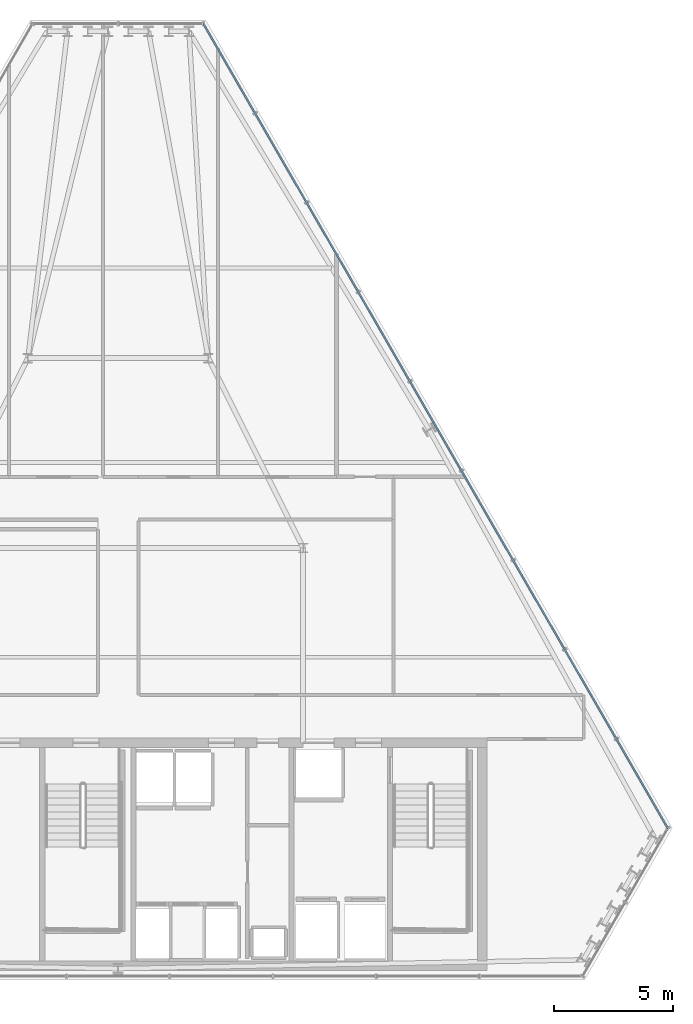
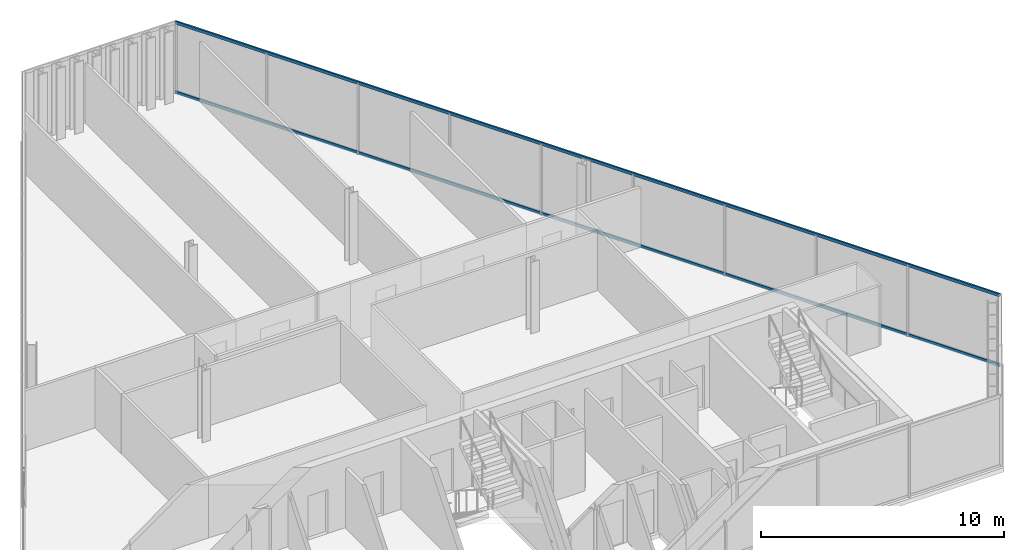
# One storey, part 18 of 29: 2 members, 1 element without a shape of its own.
"""IFC4 building model written with IfcOpenShell, lengths in metres."""

from ifc_helpers import new_model, si_unit, direction, frame, origin, origin_2d, place, context, subcontext, project, spatial, hollow_rectangle, extrude, material, layer, layer_set, material_profile, profile_set, type_object, element, aggregate, save


model = new_model("IFC4")

# Units and contexts
model_context = context("Model", 3, precision=1e-05, world=origin(), true_north=direction((0.0, 1.0)))
body_context = subcontext(model_context, "Body", "Model", "MODEL_VIEW")
ifc_project = project(units=[si_unit("LENGTHUNIT", "METRE"), si_unit("AREAUNIT", "SQUARE_METRE"), si_unit("VOLUMEUNIT", "CUBIC_METRE"), si_unit("PLANEANGLEUNIT", "RADIAN"), si_unit("MASSUNIT", "GRAM", prefix="KILO")], contexts=[model_context])

# Site, building, storey
site_placement = place(None, origin())
site = spatial("IfcSite", under=ifc_project, at=site_placement, CompositionType="ELEMENT")
building_placement = place(site_placement, origin())
building = spatial("IfcBuilding", under=site, at=building_placement, Name="Ndaravel Arena Tower", CompositionType="ELEMENT")
storey_placement = place(building_placement, frame((0.0, 0.0, 233.199951171875)))
storey = spatial("IfcBuildingStorey", under=building, at=storey_placement, Name="L56", CompositionType="ELEMENT", Elevation=233.199951171875)

# Curtain wall, members
ifc_material_1 = material(Name="Aluminium", Category="aluminium")
ifc_layer = layer(ifc_material_1, 0.179931640625)
ifc_layer_set = layer_set([ifc_layer], Name="Aluminium")
curtain_wall_type = type_object("IfcCurtainWallType", Name="CW-SYS-03", PredefinedType="NOTDEFINED", material=ifc_layer_set)
curtain_wall_placement = place(storey_placement, origin())
curtain_wall = element("IfcCurtainWall", 1, at=curtain_wall_placement, inside=storey, type_object=curtain_wall_type, Name="L56 Faceted Crystal Curtain Wall CW-L56-E03", PredefinedType="NOTDEFINED")
ifc_material_2 = material(Name="Aluminium", Category="aluminium")
ifc_material_profile = material_profile(ifc_material_2, hollow_rectangle(XDim=0.074951171875, YDim=0.14990234375, WallThickness=0.00390625, at=origin_2d()), Name="CW TRANSOM 75x150x4")
ifc_profile_set = profile_set([ifc_material_profile], Name="Aluminium")
member_type = type_object("IfcMemberType", Name="MEM-CW-TRN150", PredefinedType="USERDEFINED", material=ifc_profile_set)
member_1_placement = place(storey_placement, frame((65.168212890625, 11.39501953125, 0.0400390625), z_axis=(-0.500000184703, 0.866025297146, 0.0), x_axis=(-0.866025297146, -0.500000184703, 0.0)))
member_1 = element("IfcMember", 2, at=member_1_placement, type_object=member_type, Name="CW-L56-E03 Transom 01", ObjectType="TRANSOM", PredefinedType="USERDEFINED", context=body_context, shape_type="SweptSolid", body=[
    extrude(hollow_rectangle(XDim=0.074951171875, YDim=0.14990234375, WallThickness=0.00390625, at=origin_2d()), origin(), (0.0, 0.0, 1.0), 39.13720703125),
])
member_2_placement = place(storey_placement, frame((65.168212890625, 11.39501953125, 3.5400390625), z_axis=(-0.500000184703, 0.866025297146, 0.0), x_axis=(-0.866025297146, -0.500000184703, 0.0)))
member_2 = element("IfcMember", 3, at=member_2_placement, type_object=member_type, Name="CW-L56-E03 Transom 02", ObjectType="TRANSOM", PredefinedType="USERDEFINED", context=body_context, shape_type="SweptSolid", body=[
    extrude(hollow_rectangle(XDim=0.074951171875, YDim=0.14990234375, WallThickness=0.00390625, at=origin_2d()), origin(), (0.0, 0.0, 1.0), 39.13720703125),
])
aggregate(curtain_wall, [member_1, member_2])

save(model, "model.ifc")
